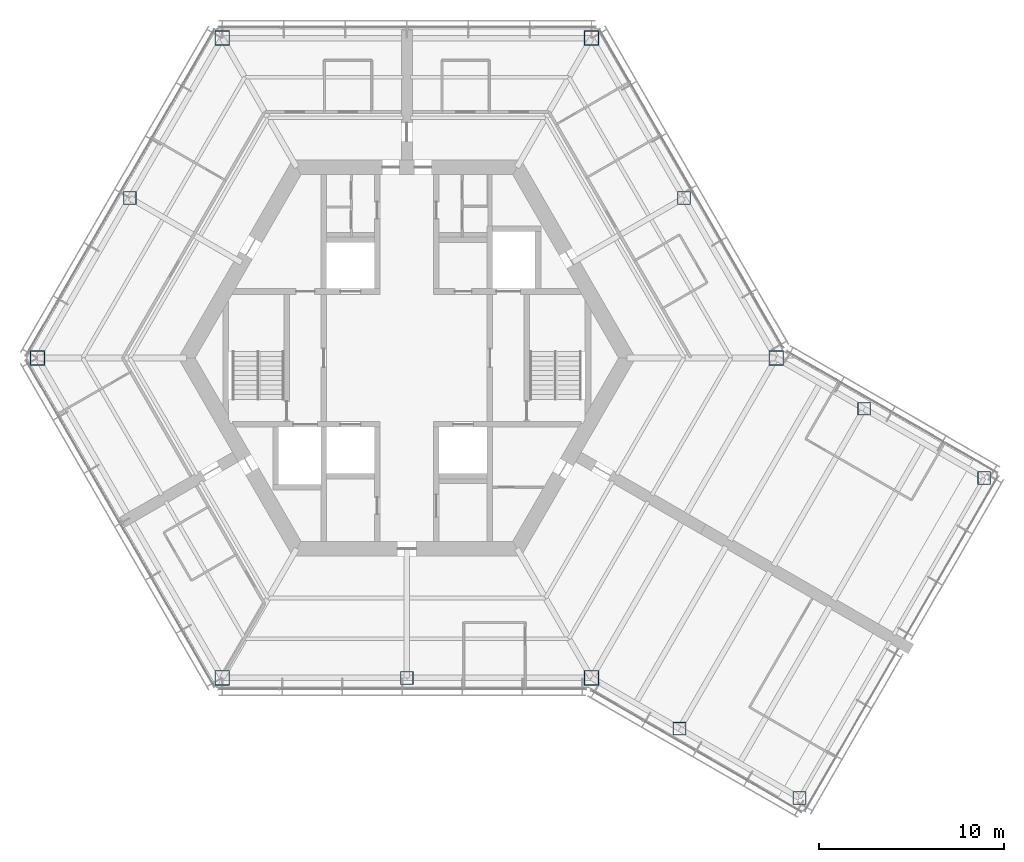
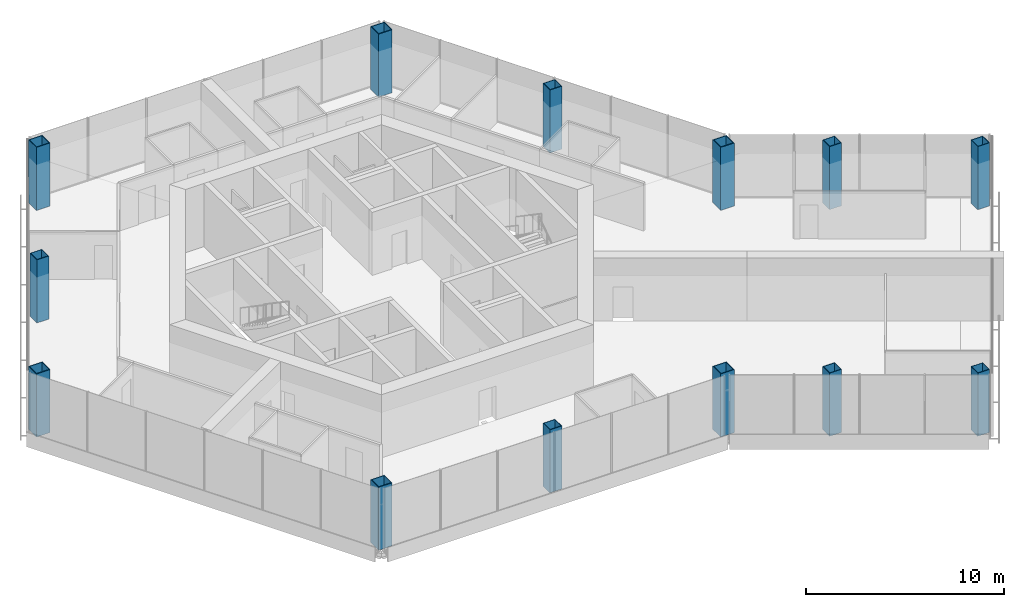
# One storey, part 1 of 15: 13 columns.
"""IFC4 building model written with IfcOpenShell, lengths in metres."""

from ifc_helpers import new_model, si_unit, direction, frame, origin, origin_2d, place, context, subcontext, project, spatial, hollow_rectangle, extrude, material, material_profile, profile_set, type_object, element, save


model = new_model("IFC4")

# Units and contexts
model_context = context("Model", 3, precision=1e-05, world=origin(), true_north=direction((0.0, 1.0)))
body_context = subcontext(model_context, "Body", "Model", "MODEL_VIEW")
ifc_project = project(units=[si_unit("LENGTHUNIT", "METRE"), si_unit("AREAUNIT", "SQUARE_METRE"), si_unit("VOLUMEUNIT", "CUBIC_METRE"), si_unit("PLANEANGLEUNIT", "RADIAN"), si_unit("MASSUNIT", "GRAM", prefix="KILO")], contexts=[model_context])

# Site, building, storey
site_placement = place(None, origin())
site = spatial("IfcSite", under=ifc_project, at=site_placement, CompositionType="ELEMENT")
building_placement = place(site_placement, origin())
building = spatial("IfcBuilding", under=site, at=building_placement, Name="Kasaneha Research Tower", CompositionType="ELEMENT")
storey_placement = place(building_placement, frame((0.0, 0.0, 240.10009765625)))
storey = spatial("IfcBuildingStorey", under=building, at=storey_placement, Name="L60", CompositionType="ELEMENT", Elevation=240.10009765625)

# Columns
ifc_material_1 = material(Name="Steel SN490C", Category="steel")
ifc_material_profile_1 = material_profile(ifc_material_1, hollow_rectangle(XDim=0.800048828125, YDim=0.800048828125, WallThickness=0.0400390625, at=origin_2d()), Name="BOX-800x800x40")
ifc_profile_set_1 = profile_set([ifc_material_profile_1], Name="Steel SN490C")
column_type_1 = type_object("IfcColumnType", Name="C4A column BOX-800x800x40", PredefinedType="COLUMN", material=ifc_profile_set_1)
for number, where, z_axis, x_axis, name in (
    (1, (20.0, 0.0, 0.0), (0.0, 0.0, 1.0), (1.0, 0.0, 0.0), "Column V0 L60"),
    (2, (10.0, 17.320556640625, 0.0), (0.0, 0.0, 1.0), (1.0, 0.0, 0.0), "Column V1 L60"),
    (3, (-10.0, 17.320556640625, 0.0), (0.0, 0.0, 1.0), (1.0, 0.0, 0.0), "Column V2 L60"),
    (4, (-20.0, 0.0, 0.0), (0.0, 0.0, 1.0), (1.0, 0.0, 0.0), "Column V3 L60"),
    (5, (-10.0, -17.320556640625, 0.0), (0.0, 0.0, 1.0), (1.0, 0.0, 0.0), "Column V4 L60"),
    (6, (10.0, -17.320556640625, 0.0), (0.0, 0.0, 1.0), (1.0, 0.0, 0.0), "Column V5 L60"),
):
    element("IfcColumn", number, at=place(storey_placement, frame(where, z_axis=z_axis, x_axis=x_axis)), inside=storey, type_object=column_type_1, Name=name, PredefinedType="COLUMN", context=body_context, shape_type="SweptSolid", body=[
        extrude(hollow_rectangle(XDim=0.800048828125, YDim=0.800048828125, WallThickness=0.0400390625, at=origin_2d()), origin(), (0.0, 0.0, 1.0), 3.89990234375),
    ])
ifc_material_2 = material(Name="Steel SN490C", Category="steel")
ifc_material_profile_2 = material_profile(ifc_material_2, hollow_rectangle(XDim=0.699951171875, YDim=0.699951171875, WallThickness=0.031982421875, at=origin_2d()), Name="BOX-700x700x32")
ifc_profile_set_2 = profile_set([ifc_material_profile_2], Name="Steel SN490C")
column_type_2 = type_object("IfcColumnType", Name="C4B column BOX-700x700x32", PredefinedType="COLUMN", material=ifc_profile_set_2)
for number, where, z_axis, x_axis, name in (
    (7, (15.0, 8.66015625, 0.0), (0.0, 0.0, 1.0), (1.0, 0.0, 0.0), "Column M030 L60"),
    (8, (-15.0, 8.66015625, 0.0), (0.0, 0.0, 1.0), (1.0, 0.0, 0.0), "Column M150 L60"),
    (9, (0.0, -17.320556640625, 0.0), (0.0, 0.0, 1.0), (1.0, 0.0, 0.0), "Column M270 L60"),
    (10, (14.76318359375, -20.070556640625, 0.0), (0.0, 0.0, 1.0), (1.0, 0.0, 0.0), "Column CSP L60"),
    (11, (21.25830078125, -23.820556640625, 0.0), (0.0, 0.0, 1.0), (1.0, 0.0, 0.0), "Column CTP L60"),
    (12, (24.76318359375, -2.75, 0.0), (0.0, 0.0, 1.0), (1.0, 0.0, 0.0), "Column CSN L60"),
    (13, (31.25830078125, -6.5, 0.0), (0.0, 0.0, 1.0), (1.0, 0.0, 0.0), "Column CTN L60"),
):
    element("IfcColumn", number, at=place(storey_placement, frame(where, z_axis=z_axis, x_axis=x_axis)), inside=storey, type_object=column_type_2, Name=name, PredefinedType="COLUMN", context=body_context, shape_type="SweptSolid", body=[
        extrude(hollow_rectangle(XDim=0.699951171875, YDim=0.699951171875, WallThickness=0.031982421875, at=origin_2d()), origin(), (0.0, 0.0, 1.0), 3.89990234375),
    ])

save(model, "model.ifc")
